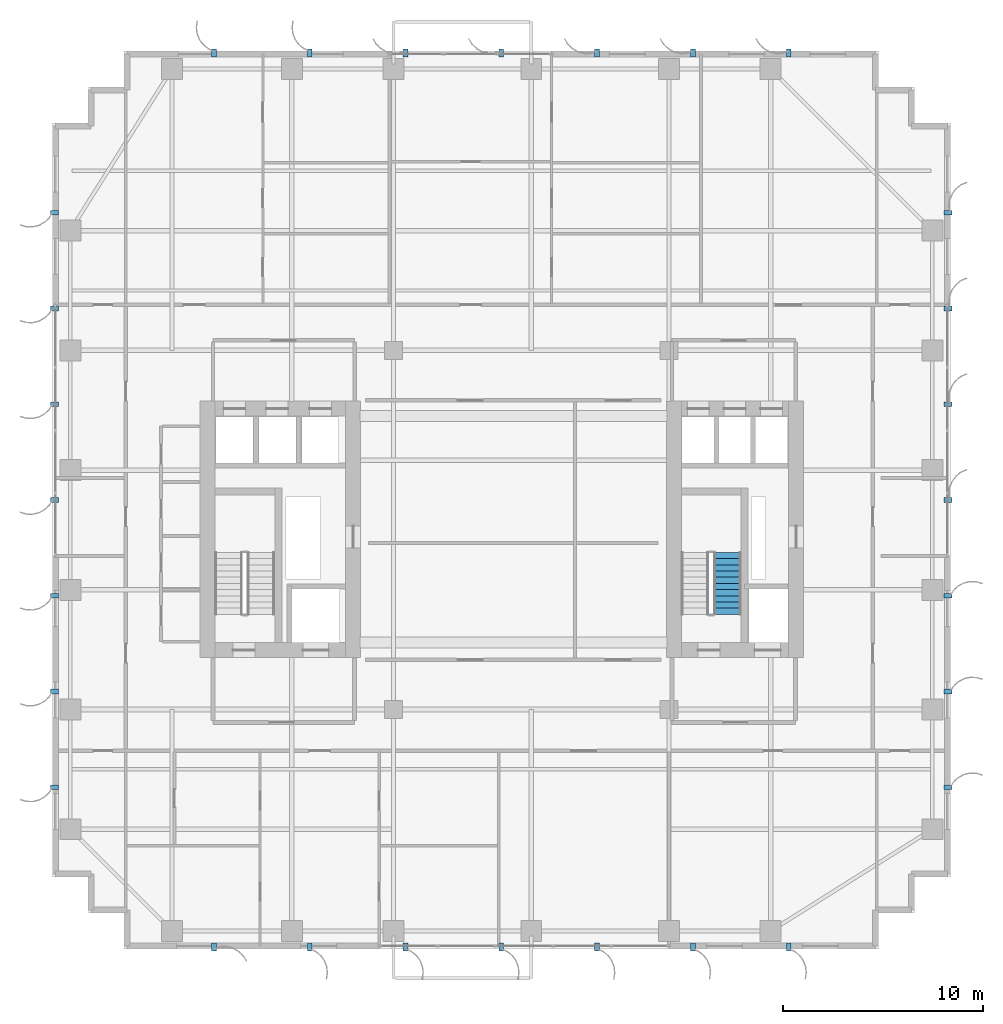
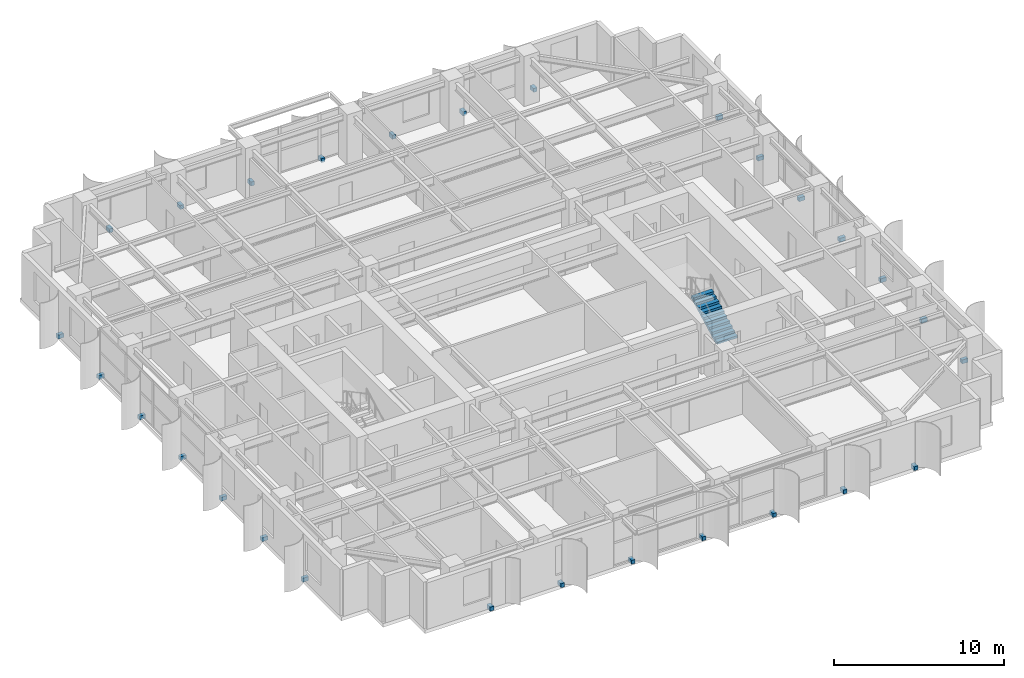
# One storey, part 20 of 23: 28 discrete accessories, 1 stair flight, 1 element without a shape of its own.
"""IFC4 building model written with IfcOpenShell, lengths in metres."""

from ifc_helpers import new_model, si_unit, direction, frame, origin, origin_2d, place, context, subcontext, project, spatial, polyline, rectangle, outline, extrude, source, transform, mapped, material, type_object, element, aggregate, save


model = new_model("IFC4")

# Units and contexts
model_context = context("Model", 3, precision=1e-05, world=origin(), true_north=direction((0.0, 1.0)))
body_context = subcontext(model_context, "Body", "Model", "MODEL_VIEW")
ifc_project = project(units=[si_unit("LENGTHUNIT", "METRE"), si_unit("AREAUNIT", "SQUARE_METRE"), si_unit("VOLUMEUNIT", "CUBIC_METRE"), si_unit("PLANEANGLEUNIT", "RADIAN"), si_unit("MASSUNIT", "GRAM", prefix="KILO")], contexts=[model_context])

# Site, building, storey
site_placement = place(None, origin())
site = spatial("IfcSite", under=ifc_project, at=site_placement, CompositionType="ELEMENT")
building_placement = place(site_placement, origin())
building = spatial("IfcBuilding", under=site, at=building_placement, Name="Khoralis Quay Care Tower", CompositionType="ELEMENT")
storey_placement = place(building_placement, frame((0.0, 0.0, 119.699951171875)))
storey = spatial("IfcBuildingStorey", under=building, at=storey_placement, Name="L31", CompositionType="ELEMENT", Elevation=119.699951171875)

# Stair, stair flight
ifc_material_1 = material(Name="Precast concrete C45/55", Category="concrete")
stair_type = type_object("IfcStairType", Name="ST-TWR-DOGLEG-1400", PredefinedType="HALF_TURN_STAIR", material=ifc_material_1)
stair_placement = place(storey_placement, origin())
stair = element("IfcStair", 1, at=stair_placement, inside=storey, type_object=stair_type, Name="L31 East Core Exit Stair ST-T2", PredefinedType="HALF_TURN_STAIR")
stair_flight_type = type_object("IfcStairFlightType", Name="SF-TWR-1400", PredefinedType="STRAIGHT", material=ifc_material_1)
shared_shape_1 = source(origin(), body_context, "Body", "SweptSolid", [
    extrude(outline(polyline([(0.0, 0.0), (0.0, 0.16357421875), (0.31005859375, 0.16357421875), (0.31005859375, 0.327392578125), (0.6201171875, 0.327392578125), (0.6201171875, 0.490966796875), (0.929931640625, 0.490966796875), (0.929931640625, 0.654541015625), (1.239990234375, 0.654541015625), (1.239990234375, 0.818115234375), (1.550048828125, 0.818115234375), (1.550048828125, 0.98193359375), (1.860107421875, 0.98193359375), (1.860107421875, 1.1455078125), (2.169921875, 1.1455078125), (2.169921875, 1.30908203125), (2.47998046875, 1.30908203125), (2.47998046875, 1.47265625), (2.7900390625, 1.47265625), (2.7900390625, 1.636474609375), (3.10009765625, 1.636474609375), (3.10009765625, 1.800048828125), (3.10009765625, 1.466796875), (0.321044921875, 0.0), (0.0, 0.0)])), frame((0.0, 0.68994140625, 0.0), z_axis=(0.0, -1.0, 0.0), x_axis=(1.0, 0.0, 0.0)), (0.0, 0.0, 1.0), 1.3798828125),
])
stair_flight_placement = place(storey_placement, frame((33.830078125, 16.77001953125, 0.0), z_axis=(0.0, 0.0, 1.0), x_axis=(0.0, 1.0, 0.0)))
stair_flight = element("IfcStairFlight", 2, at=stair_flight_placement, type_object=stair_flight_type, Name="ST-T2 flight 1", NumberOfRisers=11, NumberOfTreads=10, PredefinedType="STRAIGHT", RiserHeight=0.163636364, TreadLength=0.31, context=body_context, shape_type="MappedRepresentation", body=[
    mapped(shared_shape_1, transform((0.0, 0.0, 0.0), scale=1.0)),
])
aggregate(stair, [stair_flight])

# Discrete accessories
ifc_material_2 = material(Name="Brushed stainless steel", Category="steel")
discrete_accessory_type = type_object("IfcDiscreteAccessoryType", Name="ACC-FIN-BRACKET", PredefinedType="BRACKET", material=ifc_material_2)
shared_shape_2 = source(origin(), body_context, "Body", "SweptSolid", [
    extrude(rectangle(XDim=0.39990234375, YDim=0.239990234375, at=origin_2d()), origin(), (0.0, 0.0, 1.0), 0.280029296875),
])
for number, where, z_axis, x_axis, name in (
    (3, (8.10009765625, 0.110107421875, -0.1201171875), (0.0, 0.0, 1.0), (0.0, -1.0, 0.0), "L31 Solar Fin Bracket P1E0-01"),
    (4, (12.89990234375, 0.110107421875, -0.1201171875), (0.0, 0.0, 1.0), (0.0, -1.0, 0.0), "L31 Solar Fin Bracket P1E0-02"),
    (5, (17.699951171875, 0.110107421875, -0.1201171875), (0.0, 0.0, 1.0), (0.0, -1.0, 0.0), "L31 Solar Fin Bracket P1E0-03"),
    (6, (22.5, 0.110107421875, -0.1201171875), (0.0, 0.0, 1.0), (0.0, -1.0, 0.0), "L31 Solar Fin Bracket P1E0-04"),
    (7, (27.300048828125, 0.110107421875, -0.1201171875), (0.0, 0.0, 1.0), (0.0, -1.0, 0.0), "L31 Solar Fin Bracket P1E0-05"),
    (8, (32.10009765625, 0.110107421875, -0.1201171875), (0.0, 0.0, 1.0), (0.0, -1.0, 0.0), "L31 Solar Fin Bracket P1E0-06"),
    (9, (36.89990234375, 0.110107421875, -0.1201171875), (0.0, 0.0, 1.0), (0.0, -1.0, 0.0), "L31 Solar Fin Bracket P1E0-07"),
    (10, (44.889892578125, 8.10009765625, -0.1201171875), (0.0, 0.0, 1.0), (1.0, 0.0, 0.0), "L31 Solar Fin Bracket P1E5-01"),
    (11, (44.889892578125, 12.89990234375, -0.1201171875), (0.0, 0.0, 1.0), (1.0, 0.0, 0.0), "L31 Solar Fin Bracket P1E5-02"),
    (12, (44.889892578125, 17.699951171875, -0.1201171875), (0.0, 0.0, 1.0), (1.0, 0.0, 0.0), "L31 Solar Fin Bracket P1E5-03"),
    (13, (44.889892578125, 22.5, -0.1201171875), (0.0, 0.0, 1.0), (1.0, 0.0, 0.0), "L31 Solar Fin Bracket P1E5-04"),
    (14, (44.889892578125, 27.300048828125, -0.1201171875), (0.0, 0.0, 1.0), (1.0, 0.0, 0.0), "L31 Solar Fin Bracket P1E5-05"),
    (15, (44.889892578125, 32.10009765625, -0.1201171875), (0.0, 0.0, 1.0), (1.0, 0.0, 0.0), "L31 Solar Fin Bracket P1E5-06"),
    (16, (44.889892578125, 36.89990234375, -0.1201171875), (0.0, 0.0, 1.0), (1.0, 0.0, 0.0), "L31 Solar Fin Bracket P1E5-07"),
    (17, (36.89990234375, 44.889892578125, -0.1201171875), (0.0, 0.0, 1.0), (0.0, 1.0, 0.0), "L31 Solar Fin Bracket P1E10-01"),
    (18, (32.10009765625, 44.889892578125, -0.1201171875), (0.0, 0.0, 1.0), (0.0, 1.0, 0.0), "L31 Solar Fin Bracket P1E10-02"),
    (19, (27.300048828125, 44.889892578125, -0.1201171875), (0.0, 0.0, 1.0), (0.0, 1.0, 0.0), "L31 Solar Fin Bracket P1E10-03"),
    (20, (22.5, 44.889892578125, -0.1201171875), (0.0, 0.0, 1.0), (0.0, 1.0, 0.0), "L31 Solar Fin Bracket P1E10-04"),
    (21, (17.699951171875, 44.889892578125, -0.1201171875), (0.0, 0.0, 1.0), (0.0, 1.0, 0.0), "L31 Solar Fin Bracket P1E10-05"),
    (22, (12.89990234375, 44.889892578125, -0.1201171875), (0.0, 0.0, 1.0), (0.0, 1.0, 0.0), "L31 Solar Fin Bracket P1E10-06"),
    (23, (8.10009765625, 44.889892578125, -0.1201171875), (0.0, 0.0, 1.0), (0.0, 1.0, 0.0), "L31 Solar Fin Bracket P1E10-07"),
    (24, (0.110107421875, 36.89990234375, -0.1201171875), (0.0, 0.0, 1.0), (-1.0, 0.0, 0.0), "L31 Solar Fin Bracket P1E15-01"),
    (25, (0.110107421875, 32.10009765625, -0.1201171875), (0.0, 0.0, 1.0), (-1.0, 0.0, 0.0), "L31 Solar Fin Bracket P1E15-02"),
    (26, (0.110107421875, 27.300048828125, -0.1201171875), (0.0, 0.0, 1.0), (-1.0, 0.0, 0.0), "L31 Solar Fin Bracket P1E15-03"),
    (27, (0.110107421875, 22.5, -0.1201171875), (0.0, 0.0, 1.0), (-1.0, 0.0, 0.0), "L31 Solar Fin Bracket P1E15-04"),
    (28, (0.110107421875, 17.699951171875, -0.1201171875), (0.0, 0.0, 1.0), (-1.0, 0.0, 0.0), "L31 Solar Fin Bracket P1E15-05"),
    (29, (0.110107421875, 12.89990234375, -0.1201171875), (0.0, 0.0, 1.0), (-1.0, 0.0, 0.0), "L31 Solar Fin Bracket P1E15-06"),
    (30, (0.110107421875, 8.10009765625, -0.1201171875), (0.0, 0.0, 1.0), (-1.0, 0.0, 0.0), "L31 Solar Fin Bracket P1E15-07"),
):
    element("IfcDiscreteAccessory", number, at=place(storey_placement, frame(where, z_axis=z_axis, x_axis=x_axis)), inside=storey, type_object=discrete_accessory_type, Name=name, PredefinedType="BRACKET", context=body_context, shape_type="MappedRepresentation", body=[
        mapped(shared_shape_2, transform((0.0, 0.0, 0.0), scale=1.0)),
    ])

save(model, "model.ifc")
